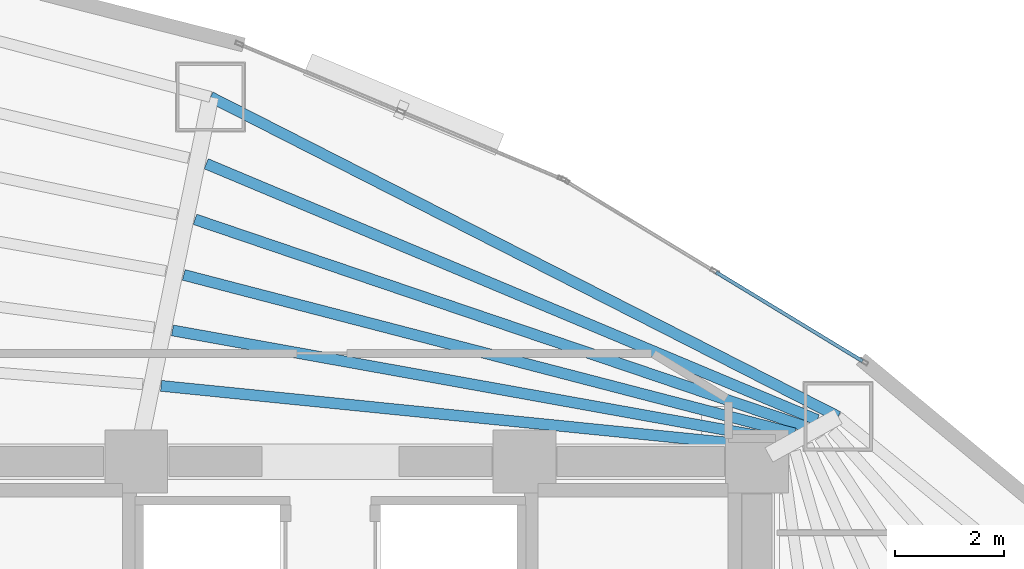
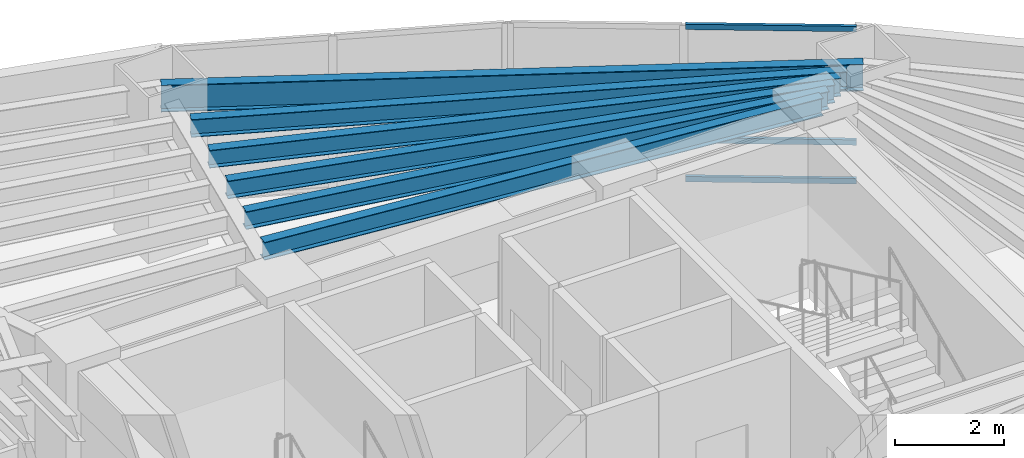
# One storey, part 10 of 18: 6 beams, 3 members, 1 element without a shape of its own.
"""IFC4 building model written with IfcOpenShell, lengths in metres."""

from ifc_helpers import new_model, si_unit, direction, frame, origin, origin_2d, place, context, subcontext, project, spatial, hollow_rectangle, i_section, extrude, material, layer, layer_set, material_profile, profile_set, type_object, element, aggregate, save


model = new_model("IFC4")

# Units and contexts
model_context = context("Model", 3, precision=1e-05, world=origin(), true_north=direction((0.0, 1.0)))
body_context = subcontext(model_context, "Body", "Model", "MODEL_VIEW")
ifc_project = project(units=[si_unit("LENGTHUNIT", "METRE"), si_unit("AREAUNIT", "SQUARE_METRE"), si_unit("VOLUMEUNIT", "CUBIC_METRE"), si_unit("PLANEANGLEUNIT", "RADIAN"), si_unit("MASSUNIT", "GRAM", prefix="KILO")], contexts=[model_context])

# Site, building, storey
site_placement = place(None, origin())
site = spatial("IfcSite", under=ifc_project, at=site_placement, CompositionType="ELEMENT")
building_placement = place(site_placement, origin())
building = spatial("IfcBuilding", under=site, at=building_placement, Name="Menara Vayukalpa", CompositionType="ELEMENT")
storey_placement = place(building_placement, frame((0.0, 0.0, 92.820068359375)))
storey = spatial("IfcBuildingStorey", under=building, at=storey_placement, Name="L22", CompositionType="ELEMENT", Elevation=92.820068359375)

# Beams
ifc_material_1 = material(Name="Steel S355", Category="steel")
ifc_material_profile_1 = material_profile(ifc_material_1, i_section(OverallWidth=0.199951171875, OverallDepth=0.39990234375, WebThickness=0.008056640625, FlangeThickness=0.012939453125, at=origin_2d()), Name="WF 400x200x8x13")
ifc_profile_set_1 = profile_set([ifc_material_profile_1], Name="Steel S355")
beam_type_1 = type_object("IfcBeamType", Name="BM-SJ2", PredefinedType="JOIST", material=ifc_profile_set_1)
beam_1_placement = place(storey_placement, frame((33.677978515625, 27.06396484375, 3.27001953125), z_axis=(-0.995012836574, 0.099746955103, 0.0), x_axis=(-0.099746955103, -0.995012836574, 0.0)))
element("IfcBeam", 1, at=beam_1_placement, inside=storey, type_object=beam_type_1, Name="L22 Secondary Floor Joist SJ02-1", PredefinedType="JOIST", context=body_context, shape_type="SweptSolid", body=[
    extrude(i_section(OverallWidth=0.199951171875, OverallDepth=0.39990234375, WebThickness=0.008056640625, FlangeThickness=0.012939453125, at=origin_2d()), origin(), (0.0, 0.0, 1.0), 11.2294921875),
])
beam_2_placement = place(storey_placement, frame((33.882568359375, 27.189208984375, 3.27001953125), z_axis=(-0.984205443357, 0.177030068819, 0.0), x_axis=(-0.177030068819, -0.984205443357, 0.0)))
element("IfcBeam", 2, at=beam_2_placement, inside=storey, type_object=beam_type_1, Name="L22 Secondary Floor Joist SJ02-2", PredefinedType="JOIST", context=body_context, shape_type="SweptSolid", body=[
    extrude(i_section(OverallWidth=0.199951171875, OverallDepth=0.39990234375, WebThickness=0.008056640625, FlangeThickness=0.012939453125, at=origin_2d()), origin(), (0.0, 0.0, 1.0), 11.349853515625),
])
beam_3_placement = place(storey_placement, frame((34.08837890625, 27.31396484375, 3.27001953125), z_axis=(-0.967921665574, 0.251252162802, 0.0), x_axis=(-0.251252162802, -0.967921665574, 0.0)))
element("IfcBeam", 3, at=beam_3_placement, inside=storey, type_object=beam_type_1, Name="L22 Secondary Floor Joist SJ02-3", PredefinedType="JOIST", context=body_context, shape_type="SweptSolid", body=[
    extrude(i_section(OverallWidth=0.199951171875, OverallDepth=0.39990234375, WebThickness=0.008056640625, FlangeThickness=0.012939453125, at=origin_2d()), origin(), (0.0, 0.0, 1.0), 11.539794921875),
])
beam_4_placement = place(storey_placement, frame((34.294677734375, 27.43798828125, 3.27001953125), z_axis=(-0.94694934653, 0.321382848183, 0.0), x_axis=(-0.321382848183, -0.94694934653, 0.0)))
element("IfcBeam", 4, at=beam_4_placement, inside=storey, type_object=beam_type_1, Name="L22 Secondary Floor Joist SJ02-4", PredefinedType="JOIST", context=body_context, shape_type="SweptSolid", body=[
    extrude(i_section(OverallWidth=0.199951171875, OverallDepth=0.39990234375, WebThickness=0.008056640625, FlangeThickness=0.012939453125, at=origin_2d()), origin(), (0.0, 0.0, 1.0), 11.7958984375),
])
beam_5_placement = place(storey_placement, frame((34.501708984375, 27.561279296875, 3.27001953125), z_axis=(-0.922216637658, 0.386673600375, 0.0), x_axis=(-0.386673600375, -0.922216637658, 0.0)))
element("IfcBeam", 5, at=beam_5_placement, inside=storey, type_object=beam_type_1, Name="L22 Secondary Floor Joist SJ02-5", PredefinedType="JOIST", context=body_context, shape_type="SweptSolid", body=[
    extrude(i_section(OverallWidth=0.199951171875, OverallDepth=0.39990234375, WebThickness=0.008056640625, FlangeThickness=0.012939453125, at=origin_2d()), origin(), (0.0, 0.0, 1.0), 12.114501953125),
])
ifc_material_2 = material(Name="Steel S355", Category="steel")
ifc_material_profile_2 = material_profile(ifc_material_2, i_section(OverallWidth=0.199951171875, OverallDepth=0.60009765625, WebThickness=0.010986328125, FlangeThickness=0.01708984375, at=origin_2d()), Name="WF 600x200x11x17")
ifc_profile_set_2 = profile_set([ifc_material_profile_2], Name="Steel S355")
beam_type_2 = type_object("IfcBeamType", Name="BM-SP1", PredefinedType="SPANDREL", material=ifc_profile_set_2)
beam_6_placement = place(storey_placement, frame((34.88671875, 27.62158203125, 3.169921875), z_axis=(-0.891097345221, 0.453812209333, 0.0), x_axis=(-0.453812209333, -0.891097345221, 0.0)))
element("IfcBeam", 6, at=beam_6_placement, inside=storey, type_object=beam_type_2, Name="L22 Perimeter Spandrel Beam SP02", PredefinedType="SPANDREL", context=body_context, shape_type="SweptSolid", body=[
    extrude(i_section(OverallWidth=0.199951171875, OverallDepth=0.60009765625, WebThickness=0.010986328125, FlangeThickness=0.01708984375, at=origin_2d()), origin(), (0.0, 0.0, 1.0), 12.88134765625),
])

# Curtain wall, members
ifc_material_3 = material(Name="Anodised Terracotta Aluminium Alloy 6063-T6", Category="masonry")
ifc_layer = layer(ifc_material_3, 0.14990234375)
ifc_layer_set = layer_set([ifc_layer], Name="Anodised Terracotta Aluminium Alloy 6063-T6")
curtain_wall_type = type_object("IfcCurtainWallType", Name="CW-CW3", PredefinedType="USERDEFINED", material=ifc_layer_set)
curtain_wall_placement = place(storey_placement, origin())
curtain_wall = element("IfcCurtainWall", 7, at=curtain_wall_placement, inside=storey, type_object=curtain_wall_type, Name="L22 Mid Rise Terracotta Ribbon Curtain Wall CW3 04", ObjectType="UNITISED", PredefinedType="USERDEFINED")
ifc_material_4 = material(Name="Anodised Terracotta Aluminium Alloy 6063-T6", Category="masonry")
ifc_material_profile_3 = material_profile(ifc_material_4, hollow_rectangle(XDim=0.06494140625, YDim=0.1201171875, WallThickness=0.00341796875, at=origin_2d()), Name="ALU 65x120x3.5")
ifc_profile_set_3 = profile_set([ifc_material_profile_3], Name="Anodised Terracotta Aluminium Alloy 6063-T6")
member_type = type_object("IfcMemberType", Name="CWT-CW3", PredefinedType="USERDEFINED", material=ifc_profile_set_3)
member_1_placement = place(storey_placement, frame((35.33056640625, 28.6357421875, 0.032470703125), z_axis=(-0.854673871166, 0.519165266506, 0.0), x_axis=(-0.519165266506, -0.854673871166, 0.0)))
member_1 = element("IfcMember", 8, at=member_1_placement, type_object=member_type, Name="CW3 transom 1.1", ObjectType="TRANSOM", PredefinedType="USERDEFINED", context=body_context, shape_type="SweptSolid", body=[
    extrude(hollow_rectangle(XDim=0.06494140625, YDim=0.1201171875, WallThickness=0.00341796875, at=origin_2d()), origin(), (0.0, 0.0, 1.0), 3.1318359375),
])
member_2_placement = place(storey_placement, frame((35.33056640625, 28.6357421875, 0.89990234375), z_axis=(-0.854673871166, 0.519165266506, 0.0), x_axis=(-0.519165266506, -0.854673871166, 0.0)))
member_2 = element("IfcMember", 9, at=member_2_placement, type_object=member_type, Name="CW3 transom 1.2", ObjectType="TRANSOM", PredefinedType="USERDEFINED", context=body_context, shape_type="SweptSolid", body=[
    extrude(hollow_rectangle(XDim=0.06494140625, YDim=0.1201171875, WallThickness=0.00341796875, at=origin_2d()), origin(), (0.0, 0.0, 1.0), 3.1318359375),
])
member_3_placement = place(storey_placement, frame((35.33056640625, 28.6357421875, 3.4375), z_axis=(-0.854673871166, 0.519165266506, 0.0), x_axis=(-0.519165266506, -0.854673871166, 0.0)))
member_3 = element("IfcMember", 10, at=member_3_placement, type_object=member_type, Name="CW3 transom 1.3", ObjectType="TRANSOM", PredefinedType="USERDEFINED", context=body_context, shape_type="SweptSolid", body=[
    extrude(hollow_rectangle(XDim=0.06494140625, YDim=0.1201171875, WallThickness=0.00341796875, at=origin_2d()), origin(), (0.0, 0.0, 1.0), 3.1318359375),
])
aggregate(curtain_wall, [member_1, member_2, member_3])

save(model, "model.ifc")
